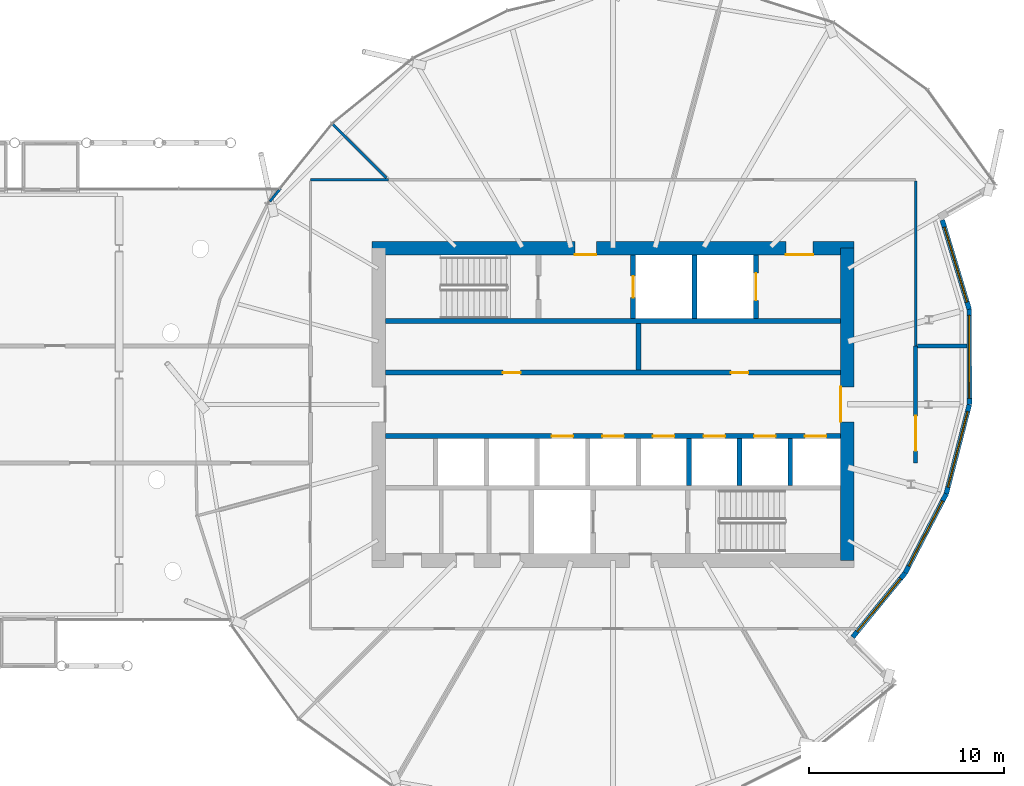
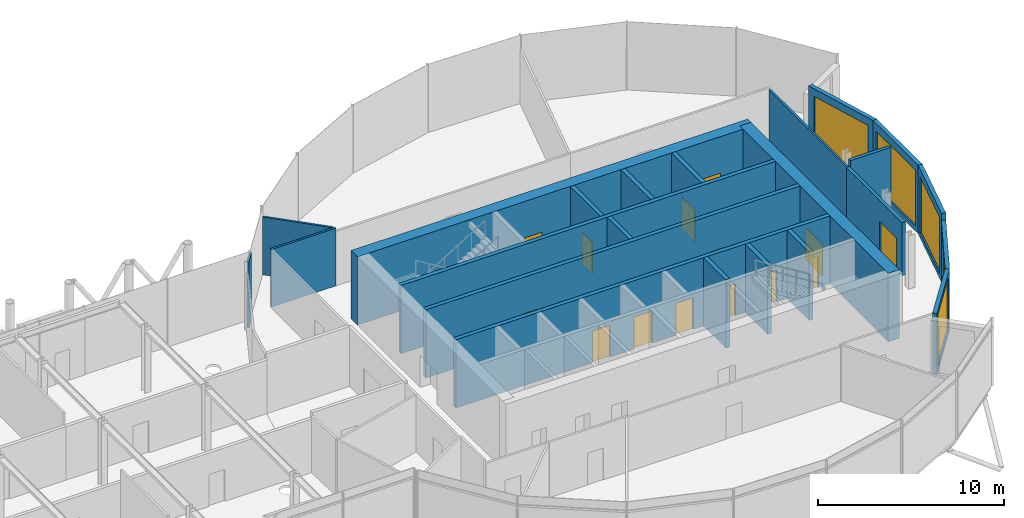
# One storey, part 26 of 36: 23 walls, 14 doors, 5 windows, 19 openings.
"""IFC4 building model written with IfcOpenShell, lengths in metres."""

import ifcopenshell
import ifcopenshell.guid

model = None  # the IFC model being written
_history = None  # IfcOwnerHistory: only IFC2X3 demands one
_inside = {}  # id of a spatial element -> (the spatial element, [elements in it])
_under = {}  # id of a project, library or spatial element -> (it, [spatial elements below it])
_declared = {}  # id of a project -> (the project, [libraries it declares])
_typed = {}  # id of a type object -> (the type object, [elements of that type])
_made_of = {}  # id of a material, layer set ... -> (it, [elements and type objects made of it])


def new_model(schema):
    """Start an empty IFC model of exactly this schema.

    Asked for "IFC4X3", IfcOpenShell would pick the latest addendum, in which some entities
    have other attributes; the version numbers below select the first issue.
    IFC2X3 requires an IfcOwnerHistory on every rooted entity: one is made here for all.
    """
    global model, _history
    if schema == "IFC4X3":
        model = ifcopenshell.file(schema_version=(4, 3, 0, 0))
    else:
        model = ifcopenshell.file(schema=schema)
    _inside.clear()
    _under.clear()
    _declared.clear()
    _typed.clear()
    _made_of.clear()
    _history = None
    if model.schema == "IFC2X3":
        org = make("IfcOrganization", Name="unknown")
        user = make(
            "IfcPersonAndOrganization",
            ThePerson=make("IfcPerson", FamilyName="unknown"),
            TheOrganization=org,
        )
        app = make(
            "IfcApplication",
            ApplicationDeveloper=org,
            Version="unknown",
            ApplicationFullName="unknown",
            ApplicationIdentifier="unknown",
        )
        _history = make(
            "IfcOwnerHistory",
            OwningUser=user,
            OwningApplication=app,
            ChangeAction="ADDED",
            CreationDate=0,
        )
    return model


def make(cls, **values):
    """One entity of the class cls with the attributes given. An attribute that is None is left unset."""
    return model.create_entity(
        cls, **{name: value for name, value in values.items() if value is not None}
    )


def rooted(cls, **values):
    """An entity with a GlobalId (a new one), such as an element, a storey or a relation."""
    return make(cls, GlobalId=ifcopenshell.guid.new(), OwnerHistory=_history, **values)


def si_unit(unit_type, name, prefix=None):
    """IfcSIUnit, for example si_unit("LENGTHUNIT", "METRE", prefix="MILLI")."""
    return make("IfcSIUnit", UnitType=unit_type, Prefix=prefix, Name=name)


def assignment(units):
    """IfcUnitAssignment: the units of a project."""
    return None if units is None else make("IfcUnitAssignment", Units=units)


def point(xyz):
    """IfcCartesianPoint."""
    return None if xyz is None else make("IfcCartesianPoint", Coordinates=xyz)


def direction(xyz):
    """IfcDirection."""
    return None if xyz is None else make("IfcDirection", DirectionRatios=xyz)


def frame(location, z_axis=None, x_axis=None):
    """IfcAxis2Placement3D, a coordinate frame: its origin and axes. An axis left out is left unset."""
    return make(
        "IfcAxis2Placement3D",
        Location=point(location),
        Axis=direction(z_axis),
        RefDirection=direction(x_axis),
    )


def frame_2d(location, x_axis=None):
    """IfcAxis2Placement2D, a coordinate frame in the plane: its origin and x axis."""
    return make(
        "IfcAxis2Placement2D", Location=point(location), RefDirection=direction(x_axis)
    )


def origin():
    """The frame at (0, 0, 0) with its axes left unset."""
    return frame((0.0, 0.0, 0.0))


def place(relative_to, where):
    """IfcLocalPlacement: puts the frame where relative to a parent placement (None: the world)."""
    return make(
        "IfcLocalPlacement", PlacementRelTo=relative_to, RelativePlacement=where
    )


def context(
    kind, dimensions, precision=None, world=None, true_north=None, identifier=None
):
    """IfcGeometricRepresentationContext, for example the 3D "Model" context."""
    return make(
        "IfcGeometricRepresentationContext",
        ContextIdentifier=identifier,
        ContextType=kind,
        CoordinateSpaceDimension=dimensions,
        Precision=precision,
        WorldCoordinateSystem=world,
        TrueNorth=true_north,
    )


def subcontext(parent, identifier, kind, view, scale=None):
    """IfcGeometricRepresentationSubContext, for example "Body" below "Model"."""
    return make(
        "IfcGeometricRepresentationSubContext",
        ContextIdentifier=identifier,
        ContextType=kind,
        ParentContext=parent,
        TargetScale=scale,
        TargetView=view,
    )


def project(units=None, contexts=None):
    """IfcProject with its units and contexts."""
    return rooted(
        "IfcProject",
        Name="project",
        RepresentationContexts=contexts,
        UnitsInContext=assignment(units),
    )


def spatial(cls, under=None, at=None, **own):
    """A site, building, storey or space (cls), placed at a placement, below another one or the project."""
    s = rooted(cls, ObjectPlacement=at, **own)
    if under is not None:
        _under.setdefault(under.id(), (under, []))[1].append(s)
    return s


def profile(cls, at=None, kind="AREA", **sizes):
    """A parametric profile (cls). Its sizes go by their IFC names, for example OverallWidth=200.0."""
    return make(cls, ProfileType=kind, Position=at, **sizes)


def rectangle(**sizes):
    """IfcRectangleProfileDef."""
    return profile("IfcRectangleProfileDef", **sizes)


def extrude(swept, where, along, depth):
    """IfcExtrudedAreaSolid: the profile swept, set in the frame where, extruded along a direction by depth."""
    return make(
        "IfcExtrudedAreaSolid",
        SweptArea=swept,
        Position=where,
        ExtrudedDirection=direction(along),
        Depth=depth,
    )


def shape(context_of_items, identifier, shape_type, items):
    """IfcShapeRepresentation: the items that make up one representation, for example the "Body"."""
    return make(
        "IfcShapeRepresentation",
        ContextOfItems=context_of_items,
        RepresentationIdentifier=identifier,
        RepresentationType=shape_type,
        Items=items,
    )


def material(Name=None, Category=None):
    """IfcMaterial."""
    return make("IfcMaterial", Name=Name, Category=Category)


def layer(
    of_material, thickness, ventilated=None, Name=None, Category=None, Priority=None
):
    """IfcMaterialLayer: one layer of a wall or slab, of a material (None: an air gap)."""
    return make(
        "IfcMaterialLayer",
        Material=of_material,
        LayerThickness=thickness,
        IsVentilated=ventilated,
        Name=Name,
        Category=Category,
        Priority=Priority,
    )


def layer_set(layers, Name=None):
    """IfcMaterialLayerSet."""
    return make("IfcMaterialLayerSet", MaterialLayers=layers, LayerSetName=Name)


def made_of(thing, what):
    """Note that an element or type object is made of a material, layer set ...; save() writes the relation."""
    if what is not None:
        _made_of.setdefault(what.id(), (what, []))[1].append(thing)
    return thing


def type_object(cls, material=None, **own):
    """A type object (cls), such as IfcWallType, which elements share."""
    return made_of(rooted(cls, **own), material)


def element(
    cls,
    number,
    at=None,
    inside=None,
    cuts=None,
    type_object=None,
    material=None,
    context=None,
    identifier="Body",
    shape_type=None,
    held_by="IfcProductDefinitionShape",
    body=None,
    shapes=None,
    **own,
):
    """One element of the class cls, such as IfcWall. Its Tag is "e" and its number.

    at: its placement. inside: the storey or other place that contains it. cuts: it is an
    opening in that element (IfcRelVoidsElement). A single representation is given by context,
    identifier, shape_type and body (its items); several are given by shapes. held_by: the class
    of the entity that holds the representations. save() writes the other relations.
    """
    e = rooted(cls, Tag="e%d" % number, ObjectPlacement=at, **own)
    if body is not None:
        shapes = [shape(context, identifier, shape_type, body)]
    if shapes is not None:
        e.Representation = make(held_by, Representations=shapes)
    if inside is not None:
        _inside.setdefault(inside.id(), (inside, []))[1].append(e)
    if cuts is not None:
        rooted(
            "IfcRelVoidsElement", RelatingBuildingElement=cuts, RelatedOpeningElement=e
        )
    if type_object is not None:
        _typed.setdefault(type_object.id(), (type_object, []))[1].append(e)
    return made_of(e, material)


def fill(opening, filler):
    """IfcRelFillsElement: the door or window that sits in an opening."""
    return rooted(
        "IfcRelFillsElement",
        RelatingOpeningElement=opening,
        RelatedBuildingElement=filler,
    )


def aggregate(whole, parts):
    """IfcRelAggregates: a whole, such as a stair, and the parts it consists of."""
    return rooted("IfcRelAggregates", RelatingObject=whole, RelatedObjects=parts)


def save(model, path):
    """Write the relations noted so far, then the file.

    IfcRelAggregates (storeys below a building ...), IfcRelContainedInSpatialStructure (elements
    in a storey), IfcRelDefinesByType, IfcRelAssociatesMaterial and IfcRelDeclares: one each for
    every whole, place, type object, material and project.
    """
    for whole, parts in _under.values():
        aggregate(whole, parts)
    for where, things in _inside.values():
        rooted(
            "IfcRelContainedInSpatialStructure",
            RelatedElements=things,
            RelatingStructure=where,
        )
    for kind, things in _typed.values():
        rooted("IfcRelDefinesByType", RelatedObjects=things, RelatingType=kind)
    for what, things in _made_of.values():
        rooted("IfcRelAssociatesMaterial", RelatedObjects=things, RelatingMaterial=what)
    for by, libraries in _declared.values():
        rooted("IfcRelDeclares", RelatingContext=by, RelatedDefinitions=libraries)
    model.write(path)


model = new_model("IFC4")

# Units and contexts
model_context = context("Model", 3, precision=1e-05, world=origin(), true_north=direction((0.0, 1.0)))
body_context = subcontext(model_context, "Body", "Model", "MODEL_VIEW")
ifc_project = project(units=[si_unit("LENGTHUNIT", "METRE"), si_unit("AREAUNIT", "SQUARE_METRE"), si_unit("VOLUMEUNIT", "CUBIC_METRE"), si_unit("PLANEANGLEUNIT", "RADIAN"), si_unit("MASSUNIT", "GRAM", prefix="KILO")], contexts=[model_context])

# Site, building, storey
site_placement = place(None, origin())
site = spatial("IfcSite", under=ifc_project, at=site_placement, CompositionType="ELEMENT")
building_placement = place(site_placement, origin())
building = spatial("IfcBuilding", under=site, at=building_placement, Name="Rimbun Link Towers", CompositionType="ELEMENT")
storey_placement = place(building_placement, frame((0.0, 0.0, 154.39990234375)))
storey = spatial("IfcBuildingStorey", under=building, at=storey_placement, Name="L37", CompositionType="ELEMENT", Elevation=154.39990234375)

# Wall, opening, window
ifc_material_1 = material(Name="Dark enamelled glass spandrel on insulated aluminium backpan", Category="aluminium")
ifc_layer_1 = layer(ifc_material_1, 0.25)
ifc_layer_set_1 = layer_set([ifc_layer_1], Name="CS dark enamelled spandrel wall 250")
wall_type_1 = type_object("IfcWallType", Name="CS dark enamelled spandrel wall 250", PredefinedType="STANDARD", material=ifc_layer_set_1)
wall_1_placement = place(storey_placement, frame((46.711669921875, -8.646728515625, 0.0), z_axis=(0.0, 0.0, 1.0), x_axis=(-0.633071445917, -0.774093369281, 0.0)))
wall_1 = element("IfcWall", 1, at=wall_1_placement, inside=storey, type_object=wall_type_1, Name="Crease spandrel wall", PredefinedType="STANDARD", context=body_context, shape_type="SweptSolid", body=[
    extrude(rectangle(XDim=4.236328125, YDim=0.25, at=frame_2d((2.1181640625, 0.0))), origin(), (0.0, 0.0, 1.0), 4.03662109375),
])
opening_1_placement = place(wall_1_placement, frame((0.3681640625, 0.0, 0.300048828125)))
opening_1 = element("IfcOpeningElement", 2, at=opening_1_placement, cuts=wall_1, Name="Opening WR35H345", PredefinedType="OPENING", context=body_context, shape_type="SweptSolid", body=[
    extrude(rectangle(XDim=3.5, YDim=3.449951171875, at=frame_2d((1.75, 1.72509765625))), frame((0.0, 0.135009765625, 0.0), z_axis=(0.0, -1.0, 0.0), x_axis=(1.0, 0.0, 0.0)), (0.0, 0.0, 1.0), 0.27001953125),
])
ifc_material_2 = material(Name="Aluminium framed fixed window, dark tinted low-e glass", Category="aluminium")
window_type_1 = type_object("IfcWindowType", Name="WR ribbon window 3500X3450", PartitioningType="SINGLE_PANEL", PredefinedType="WINDOW", material=ifc_material_2)
window_1_placement = place(opening_1_placement, origin())
window_1 = element("IfcWindow", 3, at=window_1_placement, inside=storey, type_object=window_type_1, Name="Crease ribbon window", OverallHeight=3.449951171875, OverallWidth=3.5, PartitioningType="SINGLE_PANEL", PredefinedType="WINDOW", context=body_context, shape_type="SweptSolid", body=[
    extrude(rectangle(XDim=3.5, YDim=3.449951171875, at=frame_2d((1.75, 1.72509765625))), frame((0.0, 0.030029296875, 0.0), z_axis=(0.0, -1.0, 0.0), x_axis=(1.0, 0.0, 0.0)), (0.0, 0.0, 1.0), 0.06005859375),
])
fill(opening_1, window_1)

wall_2_placement = place(storey_placement, frame((48.820556640625, -4.587646484375, 0.0), z_axis=(0.0, 0.0, 1.0), x_axis=(-0.46103677095, -0.887381031931, 0.0)))
wall_2 = element("IfcWall", 4, at=wall_2_placement, inside=storey, type_object=wall_type_1, Name="Crease spandrel wall", PredefinedType="STANDARD", context=body_context, shape_type="SweptSolid", body=[
    extrude(rectangle(XDim=4.57421875, YDim=0.25, at=frame_2d((2.287109375, 0.0))), origin(), (0.0, 0.0, 1.0), 4.03662109375),
])
opening_2_placement = place(wall_2_placement, frame((0.412109375, 0.0, 0.300048828125)))
opening_2 = element("IfcOpeningElement", 5, at=opening_2_placement, cuts=wall_2, Name="Opening WR38H345", PredefinedType="OPENING", context=body_context, shape_type="SweptSolid", body=[
    extrude(rectangle(XDim=3.75, YDim=3.449951171875, at=frame_2d((1.875, 1.72509765625))), frame((0.0, 0.135009765625, 0.0), z_axis=(0.0, -1.0, 0.0), x_axis=(1.0, 0.0, 0.0)), (0.0, 0.0, 1.0), 0.27001953125),
])
ifc_material_3 = material(Name="Aluminium framed fixed window, dark tinted low-e glass", Category="aluminium")
window_type_2 = type_object("IfcWindowType", Name="WR ribbon window 3750X3450", PartitioningType="SINGLE_PANEL", PredefinedType="WINDOW", material=ifc_material_3)
window_2_placement = place(opening_2_placement, origin())
window_2 = element("IfcWindow", 6, at=window_2_placement, inside=storey, type_object=window_type_2, Name="Crease ribbon window", OverallHeight=3.449951171875, OverallWidth=3.75, PartitioningType="SINGLE_PANEL", PredefinedType="WINDOW", context=body_context, shape_type="SweptSolid", body=[
    extrude(rectangle(XDim=3.75, YDim=3.449951171875, at=frame_2d((1.875, 1.72509765625))), frame((0.0, 0.030029296875, 0.0), z_axis=(0.0, -1.0, 0.0), x_axis=(1.0, 0.0, 0.0)), (0.0, 0.0, 1.0), 0.06005859375),
])
fill(opening_2, window_2)

wall_3_placement = place(storey_placement, frame((50.00634765625, -0.015869140625, 0.0), z_axis=(0.0, 0.0, 1.0), x_axis=(-0.251064410387, -0.967970382727, 0.0)))
wall_3 = element("IfcWall", 7, at=wall_3_placement, inside=storey, type_object=wall_type_1, Name="Crease spandrel wall", PredefinedType="STANDARD", context=body_context, shape_type="SweptSolid", body=[
    extrude(rectangle(XDim=4.72314453125, YDim=0.25, at=frame_2d((2.361572265625, 0.0))), origin(), (0.0, 0.0, 1.0), 4.5),
])
opening_3_placement = place(wall_3_placement, frame((0.361572265625, 0.0, 0.300048828125)))
opening_3 = element("IfcOpeningElement", 8, at=opening_3_placement, cuts=wall_3, Name="Opening WR40H370", PredefinedType="OPENING", context=body_context, shape_type="SweptSolid", body=[
    extrude(rectangle(XDim=4.0, YDim=3.699951171875, at=frame_2d((2.0, 1.85009765625))), frame((0.0, 0.135009765625, 0.0), z_axis=(0.0, -1.0, 0.0), x_axis=(1.0, 0.0, 0.0)), (0.0, 0.0, 1.0), 0.27001953125),
])
ifc_material_4 = material(Name="Aluminium framed fixed window, dark tinted low-e glass", Category="aluminium")
window_type_3 = type_object("IfcWindowType", Name="WR ribbon window 4000X3700", PartitioningType="SINGLE_PANEL", PredefinedType="WINDOW", material=ifc_material_4)
window_3_placement = place(opening_3_placement, origin())
window_3 = element("IfcWindow", 9, at=window_3_placement, inside=storey, type_object=window_type_3, Name="Crease ribbon window", OverallHeight=3.699951171875, OverallWidth=4.0, PartitioningType="SINGLE_PANEL", PredefinedType="WINDOW", context=body_context, shape_type="SweptSolid", body=[
    extrude(rectangle(XDim=4.0, YDim=3.699951171875, at=frame_2d((2.0, 1.85009765625))), frame((0.0, 0.030029296875, 0.0), z_axis=(0.0, -1.0, 0.0), x_axis=(1.0, 0.0, 0.0)), (0.0, 0.0, 1.0), 0.06005859375),
])
fill(opening_3, window_3)

wall_4_placement = place(storey_placement, frame((49.998291015625, 4.874755859375, 0.0), z_axis=(0.0, 0.0, 1.0), x_axis=(0.001647361982, -0.999998643098, 0.0)))
wall_4 = element("IfcWall", 10, at=wall_4_placement, inside=storey, type_object=wall_type_1, Name="Crease spandrel wall", PredefinedType="STANDARD", context=body_context, shape_type="SweptSolid", body=[
    extrude(rectangle(XDim=4.890625, YDim=0.25, at=frame_2d((2.4453125, 0.0))), origin(), (0.0, 0.0, 1.0), 4.5),
])
opening_4_placement = place(wall_4_placement, frame((0.3203125, 0.0, 0.300048828125)))
opening_4 = element("IfcOpeningElement", 11, at=opening_4_placement, cuts=wall_4, Name="Opening WR42H370", PredefinedType="OPENING", context=body_context, shape_type="SweptSolid", body=[
    extrude(rectangle(XDim=4.25, YDim=3.699951171875, at=frame_2d((2.125, 1.85009765625))), frame((0.0, 0.135009765625, 0.0), z_axis=(0.0, -1.0, 0.0), x_axis=(1.0, 0.0, 0.0)), (0.0, 0.0, 1.0), 0.27001953125),
])
ifc_material_5 = material(Name="Aluminium framed fixed window, dark tinted low-e glass", Category="aluminium")
window_type_4 = type_object("IfcWindowType", Name="WR ribbon window 4250X3700", PartitioningType="SINGLE_PANEL", PredefinedType="WINDOW", material=ifc_material_5)
window_4_placement = place(opening_4_placement, origin())
window_4 = element("IfcWindow", 12, at=window_4_placement, inside=storey, type_object=window_type_4, Name="Crease ribbon window", OverallHeight=3.699951171875, OverallWidth=4.25, PartitioningType="SINGLE_PANEL", PredefinedType="WINDOW", context=body_context, shape_type="SweptSolid", body=[
    extrude(rectangle(XDim=4.25, YDim=3.699951171875, at=frame_2d((2.125, 1.85009765625))), frame((0.0, 0.030029296875, 0.0), z_axis=(0.0, -1.0, 0.0), x_axis=(1.0, 0.0, 0.0)), (0.0, 0.0, 1.0), 0.06005859375),
])
fill(opening_4, window_4)

wall_5_placement = place(storey_placement, frame((48.616943359375, 9.449462890625, 0.0), z_axis=(0.0, 0.0, 1.0), x_axis=(0.289062898136, -0.957310106977, 0.0)))
wall_5 = element("IfcWall", 13, at=wall_5_placement, inside=storey, type_object=wall_type_1, Name="Crease spandrel wall", PredefinedType="STANDARD", context=body_context, shape_type="SweptSolid", body=[
    extrude(rectangle(XDim=4.77880859375, YDim=0.25, at=frame_2d((2.389404296875, 0.0))), origin(), (0.0, 0.0, 1.0), 4.5),
])
opening_5_placement = place(wall_5_placement, frame((0.389404296875, 0.0, 0.300048828125)))
opening_5 = element("IfcOpeningElement", 14, at=opening_5_placement, cuts=wall_5, Name="Opening WR40H370", PredefinedType="OPENING", context=body_context, shape_type="SweptSolid", body=[
    extrude(rectangle(XDim=4.0, YDim=3.699951171875, at=frame_2d((2.0, 1.85009765625))), frame((0.0, 0.135009765625, 0.0), z_axis=(0.0, -1.0, 0.0), x_axis=(1.0, 0.0, 0.0)), (0.0, 0.0, 1.0), 0.27001953125),
])
window_5_placement = place(opening_5_placement, origin())
window_5 = element("IfcWindow", 15, at=window_5_placement, inside=storey, type_object=window_type_3, Name="Crease ribbon window", OverallHeight=3.699951171875, OverallWidth=4.0, PartitioningType="SINGLE_PANEL", PredefinedType="WINDOW", context=body_context, shape_type="SweptSolid", body=[
    extrude(rectangle(XDim=4.0, YDim=3.699951171875, at=frame_2d((2.0, 1.85009765625))), frame((0.0, 0.030029296875, 0.0), z_axis=(0.0, -1.0, 0.0), x_axis=(1.0, 0.0, 0.0)), (0.0, 0.0, 1.0), 0.06005859375),
])
fill(opening_5, window_5)

# Wall, openings, doors
ifc_material_6 = material(Name="Concrete C60/75", Category="concrete")
ifc_layer_2 = layer(ifc_material_6, 0.699951171875)
ifc_layer_set_2 = layer_set([ifc_layer_2], Name="Core shear wall 700")
wall_type_2 = type_object("IfcWallType", Name="Core shear wall 700", PredefinedType="SHEAR", material=ifc_layer_set_2)
wall_6_placement = place(storey_placement, frame((19.39990234375, 8.0, 0.0), z_axis=(0.0, 0.0, 1.0), x_axis=(1.0, 0.0, 0.0)))
wall_6 = element("IfcWall", 16, at=wall_6_placement, inside=storey, type_object=wall_type_2, Name="L37 T2 core wall N", PredefinedType="SHEAR", context=body_context, shape_type="SweptSolid", body=[
    extrude(rectangle(XDim=24.7001953125, YDim=0.699951171875, at=frame_2d((12.35009765625, 0.0))), origin(), (0.0, 0.0, 1.0), 4.5),
])
opening_6_placement = place(wall_6_placement, frame((10.39990234375, 0.0, 0.0)))
opening_6 = element("IfcOpeningElement", 17, at=opening_6_placement, cuts=wall_6, Name="Opening C2DCF01N", PredefinedType="OPENING", context=body_context, shape_type="SweptSolid", body=[
    extrude(rectangle(XDim=1.10009765625, YDim=2.10009765625, at=frame_2d((0.550048828125, 1.050048828125))), frame((0.0, 0.35986328125, 0.0), z_axis=(0.0, -1.0, 0.0), x_axis=(1.0, 0.0, 0.0)), (0.0, 0.0, 1.0), 0.719970703125),
])
opening_7_placement = place(wall_6_placement, frame((21.199951171875, 0.0, 0.0)))
opening_7 = element("IfcOpeningElement", 18, at=opening_7_placement, cuts=wall_6, Name="Opening C2DSL02N", PredefinedType="OPENING", context=body_context, shape_type="SweptSolid", body=[
    extrude(rectangle(XDim=1.39990234375, YDim=2.10009765625, at=frame_2d((0.699951171875, 1.050048828125))), frame((0.0, 0.35986328125, 0.0), z_axis=(0.0, -1.0, 0.0), x_axis=(1.0, 0.0, 0.0)), (0.0, 0.0, 1.0), 0.719970703125),
])
ifc_material_7 = material(Name="Steel fire door set", Category="steel")
door_type_1 = type_object("IfcDoorType", Name="Core fire door single", OperationType="SINGLE_SWING_LEFT", PredefinedType="DOOR", material=ifc_material_7)
door_1_placement = place(opening_6_placement, origin())
door_1 = element("IfcDoor", 19, at=door_1_placement, inside=storey, type_object=door_type_1, Name="L37 T2 firefighting lobby n door", OperationType="SINGLE_SWING_RIGHT", OverallHeight=2.10009765625, OverallWidth=1.10009765625, PredefinedType="DOOR", context=body_context, shape_type="SweptSolid", body=[
    extrude(rectangle(XDim=1.10009765625, YDim=2.10009765625, at=frame_2d((0.550048828125, 1.050048828125))), frame((0.0, -0.2998046875, 0.0), z_axis=(0.0, -1.0, 0.0), x_axis=(1.0, 0.0, 0.0)), (0.0, 0.0, 1.0), 0.050048828125),
])
fill(opening_6, door_1)
ifc_material_8 = material(Name="Steel fire door set", Category="steel")
door_type_2 = type_object("IfcDoorType", Name="Service lobby door double", OperationType="DOUBLE_DOOR_SINGLE_SWING", PredefinedType="DOOR", material=ifc_material_8)
door_2_placement = place(opening_7_placement, origin())
door_2 = element("IfcDoor", 20, at=door_2_placement, inside=storey, type_object=door_type_2, Name="L37 T2 service lobby door", OperationType="DOUBLE_DOOR_SINGLE_SWING", OverallHeight=2.10009765625, OverallWidth=1.39990234375, PredefinedType="DOOR", context=body_context, shape_type="SweptSolid", body=[
    extrude(rectangle(XDim=1.39990234375, YDim=2.10009765625, at=frame_2d((0.699951171875, 1.050048828125))), frame((0.0, -0.2998046875, 0.0), z_axis=(0.0, -1.0, 0.0), x_axis=(1.0, 0.0, 0.0)), (0.0, 0.0, 1.0), 0.050048828125),
])
fill(opening_7, door_2)

# Wall, opening, door
wall_7_placement = place(storey_placement, frame((43.75, -8.0, 0.0), z_axis=(0.0, 0.0, 1.0), x_axis=(0.0, 1.0, 0.0)))
wall_7 = element("IfcWall", 21, at=wall_7_placement, inside=storey, type_object=wall_type_2, Name="L37 T2 core wall E", PredefinedType="SHEAR", context=body_context, shape_type="SweptSolid", body=[
    extrude(rectangle(XDim=16.0, YDim=0.699951171875, at=frame_2d((8.0, 0.0))), origin(), (0.0, 0.0, 1.0), 4.5),
])
opening_8_placement = place(wall_7_placement, frame((7.10009765625, 0.0, 0.0)))
opening_8 = element("IfcOpeningElement", 22, at=opening_8_placement, cuts=wall_7, Name="Opening C2DCL01E", PredefinedType="OPENING", context=body_context, shape_type="SweptSolid", body=[
    extrude(rectangle(XDim=1.800048828125, YDim=2.10009765625, at=frame_2d((0.89990234375, 1.050048828125))), frame((0.0, 0.35986328125, 0.0), z_axis=(0.0, -1.0, 0.0), x_axis=(1.0, 0.0, 0.0)), (0.0, 0.0, 1.0), 0.719970703125),
])
ifc_material_9 = material(Name="Steel fire door set", Category="steel")
door_type_3 = type_object("IfcDoorType", Name="Core lobby door double", OperationType="DOUBLE_DOOR_SINGLE_SWING", PredefinedType="DOOR", material=ifc_material_9)
door_3_placement = place(opening_8_placement, origin())
door_3 = element("IfcDoor", 23, at=door_3_placement, inside=storey, type_object=door_type_3, Name="L37 T2 lift lobby door", OperationType="DOUBLE_DOOR_SINGLE_SWING", OverallHeight=2.10009765625, OverallWidth=1.800048828125, PredefinedType="DOOR", context=body_context, shape_type="SweptSolid", body=[
    extrude(rectangle(XDim=1.800048828125, YDim=2.10009765625, at=frame_2d((0.89990234375, 1.050048828125))), frame((0.0, 0.35009765625, 0.0), z_axis=(0.0, -1.0, 0.0), x_axis=(1.0, 0.0, 0.0)), (0.0, 0.0, 1.0), 0.050048828125),
])
fill(opening_8, door_3)

ifc_material_10 = material(Name="Concrete blockwork", Category="masonry")
ifc_layer_3 = layer(ifc_material_10, 0.199951171875)
ifc_layer_set_3 = layer_set([ifc_layer_3], Name="Fire partition 200 blockwork")
wall_type_3 = type_object("IfcWallType", Name="Fire partition 200 blockwork", PredefinedType="PARTITIONING", material=ifc_layer_set_3)
wall_8_placement = place(storey_placement, frame((47.25, -3.0, 0.0), z_axis=(0.0, 0.0, 1.0), x_axis=(0.0, 1.0, 0.0)))
wall_8 = element("IfcWall", 24, at=wall_8_placement, inside=storey, type_object=wall_type_3, Name="TW/PW/L37/035", PredefinedType="PARTITIONING", context=body_context, shape_type="SweptSolid", body=[
    extrude(rectangle(XDim=6.0, YDim=0.199951171875, at=frame_2d((3.0, 0.0))), origin(), (0.0, 0.0, 1.0), 3.489013671875),
])
opening_9_placement = place(wall_8_placement, frame((0.614990234375, 0.0, 0.0)))
opening_9 = element("IfcOpeningElement", 25, at=opening_9_placement, cuts=wall_8, Name="Opening TW D37.25", PredefinedType="OPENING", context=body_context, shape_type="SweptSolid", body=[
    extrude(rectangle(XDim=1.800048828125, YDim=2.10009765625, at=frame_2d((0.89990234375, 1.050048828125))), frame((0.0, 0.10986328125, 0.0), z_axis=(0.0, -1.0, 0.0), x_axis=(1.0, 0.0, 0.0)), (0.0, 0.0, 1.0), 0.219970703125),
])
ifc_material_11 = material(Name="Steel fire door set", Category="steel")
door_type_4 = type_object("IfcDoorType", Name="Fire door double leaf 1800 x 2100", OperationType="NOTDEFINED", PredefinedType="DOOR", material=ifc_material_11)
door_4_placement = place(opening_9_placement, origin())
door_4 = element("IfcDoor", 26, at=door_4_placement, inside=storey, type_object=door_type_4, Name="TW/DR/L37/025", OperationType="DOUBLE_DOOR_SINGLE_SWING", OverallHeight=2.10009765625, OverallWidth=1.800048828125, PredefinedType="DOOR", context=body_context, shape_type="SweptSolid", body=[
    extrude(rectangle(XDim=1.800048828125, YDim=2.10009765625, at=frame_2d((0.89990234375, 1.050048828125))), frame((0.0, 0.02490234375, 0.0), z_axis=(0.0, -1.0, 0.0), x_axis=(1.0, 0.0, 0.0)), (0.0, 0.0, 1.0), 0.050048828125),
])
fill(opening_9, door_4)

# Walls
wall_9_placement = place(storey_placement, frame((49.87646484375, 3.0, 0.0), z_axis=(0.0, 0.0, 1.0), x_axis=(-1.0, 0.0, 0.0)))
element("IfcWall", 27, at=wall_9_placement, inside=storey, type_object=wall_type_3, Name="TW/PW/L37/049", PredefinedType="PARTITIONING", context=body_context, shape_type="SweptSolid", body=[
    extrude(rectangle(XDim=2.5263671875, YDim=0.199951171875, at=frame_2d((1.26318359375, 0.0))), origin(), (0.0, 0.0, 1.0), 3.924072265625),
])
ifc_material_12 = material(Name="Gypsum board on steel studs", Category="steel")
ifc_layer_4 = layer(ifc_material_12, 0.125)
ifc_layer_set_4 = layer_set([ifc_layer_4], Name="Partition 125 board on studs")
wall_type_4 = type_object("IfcWallType", Name="Partition 125 board on studs", PredefinedType="PARTITIONING", material=ifc_layer_set_4)
wall_10_placement = place(storey_placement, frame((47.25, 3.0, 0.0), z_axis=(0.0, 0.0, 1.0), x_axis=(0.0, 1.0, 0.0)))
element("IfcWall", 28, at=wall_10_placement, inside=storey, type_object=wall_type_4, Name="TW/PW/L37/044", PredefinedType="PARTITIONING", context=body_context, shape_type="SweptSolid", body=[
    extrude(rectangle(XDim=8.4375, YDim=0.125, at=frame_2d((4.21875, 0.0))), origin(), (0.0, 0.0, 1.0), 3.489013671875),
])
wall_11_placement = place(storey_placement, frame((20.25, 11.5, 0.0), z_axis=(0.0, 0.0, 1.0), x_axis=(-1.0, 0.0, 0.0)))
element("IfcWall", 29, at=wall_11_placement, inside=storey, type_object=wall_type_4, Name="TW/PW/L37/047", PredefinedType="PARTITIONING", context=body_context, shape_type="SweptSolid", body=[
    extrude(rectangle(XDim=4.0, YDim=0.125, at=frame_2d((2.0, 0.0))), origin(), (0.0, 0.0, 1.0), 3.797119140625),
])
wall_12_placement = place(storey_placement, frame((17.384765625, 14.365234375, 0.0), z_axis=(0.0, 0.0, 1.0), x_axis=(0.707106781187, -0.707106781187, 0.0)))
element("IfcWall", 30, at=wall_12_placement, inside=storey, type_object=wall_type_4, Name="TW/PW/L37/059", PredefinedType="PARTITIONING", context=body_context, shape_type="SweptSolid", body=[
    extrude(rectangle(XDim=3.901123046875, YDim=0.125, at=frame_2d((1.95068359375, 0.0))), origin(), (0.0, 0.0, 1.0), 3.797119140625),
])
wall_13_placement = place(storey_placement, frame((14.7109375, 11.062255859375, 0.0), z_axis=(0.0, 0.0, 1.0), x_axis=(-0.629018324311, -0.777390473109, 0.0)))
element("IfcWall", 31, at=wall_13_placement, inside=storey, type_object=wall_type_4, Name="TW/PW/L37/061", PredefinedType="PARTITIONING", context=body_context, shape_type="SweptSolid", body=[
    extrude(rectangle(XDim=0.85888671875, YDim=0.125, at=frame_2d((0.429443359375, 0.0))), origin(), (0.0, 0.0, 1.0), 4.35009765625),
])
ifc_material_13 = material(Name="Concrete C60/75", Category="concrete")
ifc_layer_5 = layer(ifc_material_13, 0.25)
ifc_layer_set_5 = layer_set([ifc_layer_5], Name="Shaft wall 250")
wall_type_5 = type_object("IfcWallType", Name="Shaft wall 250", PredefinedType="SHEAR", material=ifc_layer_set_5)
wall_14_placement = place(storey_placement, frame((20.10009765625, 4.27490234375, 0.0), z_axis=(0.0, 0.0, 1.0), x_axis=(1.0, 0.0, 0.0)))
element("IfcWall", 32, at=wall_14_placement, inside=storey, type_object=wall_type_5, Name="L37 T2 core wall BN", PredefinedType="SHEAR", context=body_context, shape_type="SweptSolid", body=[
    extrude(rectangle(XDim=23.2998046875, YDim=0.25, at=frame_2d((11.64990234375, 0.0))), origin(), (0.0, 0.0, 1.0), 4.5),
])

# Wall, openings, doors
wall_15_placement = place(storey_placement, frame((20.10009765625, 1.625, 0.0), z_axis=(0.0, 0.0, 1.0), x_axis=(1.0, 0.0, 0.0)))
wall_15 = element("IfcWall", 33, at=wall_15_placement, inside=storey, type_object=wall_type_5, Name="L37 T2 core wall FN", PredefinedType="SHEAR", context=body_context, shape_type="SweptSolid", body=[
    extrude(rectangle(XDim=23.2998046875, YDim=0.25, at=frame_2d((11.64990234375, 0.0))), origin(), (0.0, 0.0, 1.0), 4.5),
])
opening_10_placement = place(wall_15_placement, frame((6.010986328125, 0.0, 0.0)))
opening_10 = element("IfcOpeningElement", 34, at=opening_10_placement, cuts=wall_15, Name="Opening C2DRS01FN", PredefinedType="OPENING", context=body_context, shape_type="SweptSolid", body=[
    extrude(rectangle(XDim=0.89990234375, YDim=2.10009765625, at=frame_2d((0.449951171875, 1.050048828125))), frame((0.0, 0.135009765625, 0.0), z_axis=(0.0, -1.0, 0.0), x_axis=(1.0, 0.0, 0.0)), (0.0, 0.0, 1.0), 0.27001953125),
])
opening_11_placement = place(wall_15_placement, frame((17.68603515625, 0.0, 0.0)))
opening_11 = element("IfcOpeningElement", 35, at=opening_11_placement, cuts=wall_15, Name="Opening C2DRS02FN", PredefinedType="OPENING", context=body_context, shape_type="SweptSolid", body=[
    extrude(rectangle(XDim=0.89990234375, YDim=2.10009765625, at=frame_2d((0.449951171875, 1.050048828125))), frame((0.0, 0.135009765625, 0.0), z_axis=(0.0, -1.0, 0.0), x_axis=(1.0, 0.0, 0.0)), (0.0, 0.0, 1.0), 0.27001953125),
])
ifc_material_14 = material(Name="Steel fire door set", Category="steel")
door_type_5 = type_object("IfcDoorType", Name="Core riser door", OperationType="SINGLE_SWING_LEFT", PredefinedType="DOOR", material=ifc_material_14)
door_5_placement = place(opening_10_placement, origin())
door_5 = element("IfcDoor", 36, at=door_5_placement, inside=storey, type_object=door_type_5, Name="L37 T2 data room door", OperationType="SINGLE_SWING_LEFT", OverallHeight=2.10009765625, OverallWidth=0.89990234375, PredefinedType="DOOR", context=body_context, shape_type="SweptSolid", body=[
    extrude(rectangle(XDim=0.89990234375, YDim=2.10009765625, at=frame_2d((0.449951171875, 1.050048828125))), frame((0.0, 0.02490234375, 0.0), z_axis=(0.0, -1.0, 0.0), x_axis=(1.0, 0.0, 0.0)), (0.0, 0.0, 1.0), 0.050048828125),
])
fill(opening_10, door_5)
door_6_placement = place(opening_11_placement, origin())
door_6 = element("IfcDoor", 37, at=door_6_placement, inside=storey, type_object=door_type_5, Name="L37 T2 meeting room door", OperationType="SINGLE_SWING_LEFT", OverallHeight=2.10009765625, OverallWidth=0.89990234375, PredefinedType="DOOR", context=body_context, shape_type="SweptSolid", body=[
    extrude(rectangle(XDim=0.89990234375, YDim=2.10009765625, at=frame_2d((0.449951171875, 1.050048828125))), frame((0.0, 0.02490234375, 0.0), z_axis=(0.0, -1.0, 0.0), x_axis=(1.0, 0.0, 0.0)), (0.0, 0.0, 1.0), 0.050048828125),
])
fill(opening_11, door_6)

wall_16_placement = place(storey_placement, frame((20.10009765625, -1.625, 0.0), z_axis=(0.0, 0.0, 1.0), x_axis=(1.0, 0.0, 0.0)))
wall_16 = element("IfcWall", 38, at=wall_16_placement, inside=storey, type_object=wall_type_5, Name="L37 T2 core wall FS", PredefinedType="SHEAR", context=body_context, shape_type="SweptSolid", body=[
    extrude(rectangle(XDim=23.2998046875, YDim=0.25, at=frame_2d((11.64990234375, 0.0))), origin(), (0.0, 0.0, 1.0), 4.5),
])
opening_12_placement = place(wall_16_placement, frame((8.505615234375, 0.0, 0.0)))
opening_12 = element("IfcOpeningElement", 39, at=opening_12_placement, cuts=wall_16, Name="Opening LD-T2-HR1", PredefinedType="OPENING", context=body_context, shape_type="SweptSolid", body=[
    extrude(rectangle(XDim=1.10009765625, YDim=2.10009765625, at=frame_2d((0.550048828125, 1.050048828125))), frame((0.0, 0.135009765625, 0.0), z_axis=(0.0, -1.0, 0.0), x_axis=(1.0, 0.0, 0.0)), (0.0, 0.0, 1.0), 0.27001953125),
])
opening_13_placement = place(wall_16_placement, frame((11.10009765625, 0.0, 0.0)))
opening_13 = element("IfcOpeningElement", 40, at=opening_13_placement, cuts=wall_16, Name="Opening LD-T2-HR2", PredefinedType="OPENING", context=body_context, shape_type="SweptSolid", body=[
    extrude(rectangle(XDim=1.10009765625, YDim=2.10009765625, at=frame_2d((0.550048828125, 1.050048828125))), frame((0.0, 0.135009765625, 0.0), z_axis=(0.0, -1.0, 0.0), x_axis=(1.0, 0.0, 0.0)), (0.0, 0.0, 1.0), 0.27001953125),
])
opening_14_placement = place(wall_16_placement, frame((13.6943359375, 0.0, 0.0)))
opening_14 = element("IfcOpeningElement", 41, at=opening_14_placement, cuts=wall_16, Name="Opening LD-T2-HR3", PredefinedType="OPENING", context=body_context, shape_type="SweptSolid", body=[
    extrude(rectangle(XDim=1.10009765625, YDim=2.10009765625, at=frame_2d((0.550048828125, 1.050048828125))), frame((0.0, 0.135009765625, 0.0), z_axis=(0.0, -1.0, 0.0), x_axis=(1.0, 0.0, 0.0)), (0.0, 0.0, 1.0), 0.27001953125),
])
opening_15_placement = place(wall_16_placement, frame((16.288818359375, 0.0, 0.0)))
opening_15 = element("IfcOpeningElement", 42, at=opening_15_placement, cuts=wall_16, Name="Opening LD-T2-HR4", PredefinedType="OPENING", context=body_context, shape_type="SweptSolid", body=[
    extrude(rectangle(XDim=1.10009765625, YDim=2.10009765625, at=frame_2d((0.550048828125, 1.050048828125))), frame((0.0, 0.135009765625, 0.0), z_axis=(0.0, -1.0, 0.0), x_axis=(1.0, 0.0, 0.0)), (0.0, 0.0, 1.0), 0.27001953125),
])
opening_16_placement = place(wall_16_placement, frame((18.88330078125, 0.0, 0.0)))
opening_16 = element("IfcOpeningElement", 43, at=opening_16_placement, cuts=wall_16, Name="Opening LD-T2-HR5", PredefinedType="OPENING", context=body_context, shape_type="SweptSolid", body=[
    extrude(rectangle(XDim=1.10009765625, YDim=2.10009765625, at=frame_2d((0.550048828125, 1.050048828125))), frame((0.0, 0.135009765625, 0.0), z_axis=(0.0, -1.0, 0.0), x_axis=(1.0, 0.0, 0.0)), (0.0, 0.0, 1.0), 0.27001953125),
])
opening_17_placement = place(wall_16_placement, frame((21.477783203125, 0.0, 0.0)))
opening_17 = element("IfcOpeningElement", 44, at=opening_17_placement, cuts=wall_16, Name="Opening LD-T2-HR6", PredefinedType="OPENING", context=body_context, shape_type="SweptSolid", body=[
    extrude(rectangle(XDim=1.10009765625, YDim=2.10009765625, at=frame_2d((0.550048828125, 1.050048828125))), frame((0.0, 0.135009765625, 0.0), z_axis=(0.0, -1.0, 0.0), x_axis=(1.0, 0.0, 0.0)), (0.0, 0.0, 1.0), 0.27001953125),
])
ifc_material_15 = material(Name="Stainless steel grade 316", Category="steel")
door_type_6 = type_object("IfcDoorType", Name="Lift landing door", OperationType="DOUBLE_DOOR_SLIDING", PredefinedType="DOOR", material=ifc_material_15)
door_7_placement = place(opening_12_placement, origin())
door_7 = element("IfcDoor", 45, at=door_7_placement, inside=storey, type_object=door_type_6, Name="L37 T2 lift HR1 landing door", OperationType="DOUBLE_DOOR_SLIDING", OverallHeight=2.10009765625, OverallWidth=1.10009765625, PredefinedType="DOOR", context=body_context, shape_type="SweptSolid", body=[
    extrude(rectangle(XDim=1.10009765625, YDim=2.10009765625, at=frame_2d((0.550048828125, 1.050048828125))), frame((0.0, 0.02490234375, 0.0), z_axis=(0.0, -1.0, 0.0), x_axis=(1.0, 0.0, 0.0)), (0.0, 0.0, 1.0), 0.050048828125),
])
fill(opening_12, door_7)
door_8_placement = place(opening_13_placement, origin())
door_8 = element("IfcDoor", 46, at=door_8_placement, inside=storey, type_object=door_type_6, Name="L37 T2 lift HR2 landing door", OperationType="DOUBLE_DOOR_SLIDING", OverallHeight=2.10009765625, OverallWidth=1.10009765625, PredefinedType="DOOR", context=body_context, shape_type="SweptSolid", body=[
    extrude(rectangle(XDim=1.10009765625, YDim=2.10009765625, at=frame_2d((0.550048828125, 1.050048828125))), frame((0.0, 0.02490234375, 0.0), z_axis=(0.0, -1.0, 0.0), x_axis=(1.0, 0.0, 0.0)), (0.0, 0.0, 1.0), 0.050048828125),
])
fill(opening_13, door_8)
door_9_placement = place(opening_14_placement, origin())
door_9 = element("IfcDoor", 47, at=door_9_placement, inside=storey, type_object=door_type_6, Name="L37 T2 lift HR3 landing door", OperationType="DOUBLE_DOOR_SLIDING", OverallHeight=2.10009765625, OverallWidth=1.10009765625, PredefinedType="DOOR", context=body_context, shape_type="SweptSolid", body=[
    extrude(rectangle(XDim=1.10009765625, YDim=2.10009765625, at=frame_2d((0.550048828125, 1.050048828125))), frame((0.0, 0.02490234375, 0.0), z_axis=(0.0, -1.0, 0.0), x_axis=(1.0, 0.0, 0.0)), (0.0, 0.0, 1.0), 0.050048828125),
])
fill(opening_14, door_9)
door_10_placement = place(opening_15_placement, origin())
door_10 = element("IfcDoor", 48, at=door_10_placement, inside=storey, type_object=door_type_6, Name="L37 T2 lift HR4 landing door", OperationType="DOUBLE_DOOR_SLIDING", OverallHeight=2.10009765625, OverallWidth=1.10009765625, PredefinedType="DOOR", context=body_context, shape_type="SweptSolid", body=[
    extrude(rectangle(XDim=1.10009765625, YDim=2.10009765625, at=frame_2d((0.550048828125, 1.050048828125))), frame((0.0, 0.02490234375, 0.0), z_axis=(0.0, -1.0, 0.0), x_axis=(1.0, 0.0, 0.0)), (0.0, 0.0, 1.0), 0.050048828125),
])
fill(opening_15, door_10)
door_11_placement = place(opening_16_placement, origin())
door_11 = element("IfcDoor", 49, at=door_11_placement, inside=storey, type_object=door_type_6, Name="L37 T2 lift HR5 landing door", OperationType="DOUBLE_DOOR_SLIDING", OverallHeight=2.10009765625, OverallWidth=1.10009765625, PredefinedType="DOOR", context=body_context, shape_type="SweptSolid", body=[
    extrude(rectangle(XDim=1.10009765625, YDim=2.10009765625, at=frame_2d((0.550048828125, 1.050048828125))), frame((0.0, 0.02490234375, 0.0), z_axis=(0.0, -1.0, 0.0), x_axis=(1.0, 0.0, 0.0)), (0.0, 0.0, 1.0), 0.050048828125),
])
fill(opening_16, door_11)
door_12_placement = place(opening_17_placement, origin())
door_12 = element("IfcDoor", 50, at=door_12_placement, inside=storey, type_object=door_type_6, Name="L37 T2 lift HR6 landing door", OperationType="DOUBLE_DOOR_SLIDING", OverallHeight=2.10009765625, OverallWidth=1.10009765625, PredefinedType="DOOR", context=body_context, shape_type="SweptSolid", body=[
    extrude(rectangle(XDim=1.10009765625, YDim=2.10009765625, at=frame_2d((0.550048828125, 1.050048828125))), frame((0.0, 0.02490234375, 0.0), z_axis=(0.0, -1.0, 0.0), x_axis=(1.0, 0.0, 0.0)), (0.0, 0.0, 1.0), 0.050048828125),
])
fill(opening_17, door_12)

# Walls
for number, where, z_axis, x_axis, name in (
    (51, (33.047119140625, 1.75, 0.0), (0.0, 0.0, 1.0), (0.0, 1.0, 0.0), "L37 T2 core wall DN4"),
    (52, (35.6416015625, -4.14990234375, 0.0), (0.0, 0.0, 1.0), (0.0, 1.0, 0.0), "L37 T2 core wall DS5"),
    (53, (38.236083984375, -4.14990234375, 0.0), (0.0, 0.0, 1.0), (0.0, 1.0, 0.0), "L37 T2 core wall DS6"),
    (54, (40.83056640625, -4.14990234375, 0.0), (0.0, 0.0, 1.0), (0.0, 1.0, 0.0), "L37 T2 core wall DS7"),
):
    element("IfcWall", number, at=place(storey_placement, frame(where, z_axis=z_axis, x_axis=x_axis)), inside=storey, type_object=wall_type_5, Name=name, PredefinedType="SHEAR", context=body_context, shape_type="SweptSolid", body=[
        extrude(rectangle(XDim=2.39990234375, YDim=0.25, at=frame_2d((1.199951171875, 0.0))), origin(), (0.0, 0.0, 1.0), 4.5),
    ])

# Wall, opening, door
wall_17_placement = place(storey_placement, frame((32.77490234375, 4.39990234375, 0.0), z_axis=(0.0, 0.0, 1.0), x_axis=(0.0, 1.0, 0.0)))
wall_17 = element("IfcWall", 55, at=wall_17_placement, inside=storey, type_object=wall_type_5, Name="L37 T2 core wall A2", PredefinedType="SHEAR", context=body_context, shape_type="SweptSolid", body=[
    extrude(rectangle(XDim=3.25, YDim=0.25, at=frame_2d((1.625, 0.0))), origin(), (0.0, 0.0, 1.0), 4.5),
])
opening_18_placement = place(wall_17_placement, frame((1.074951171875, 0.0, 0.0)))
opening_18 = element("IfcOpeningElement", 56, at=opening_18_placement, cuts=wall_17, Name="Opening LD-T2-FF1", PredefinedType="OPENING", context=body_context, shape_type="SweptSolid", body=[
    extrude(rectangle(XDim=1.10009765625, YDim=2.10009765625, at=frame_2d((0.550048828125, 1.050048828125))), frame((0.0, 0.135009765625, 0.0), z_axis=(0.0, -1.0, 0.0), x_axis=(1.0, 0.0, 0.0)), (0.0, 0.0, 1.0), 0.27001953125),
])
door_13_placement = place(opening_18_placement, origin())
door_13 = element("IfcDoor", 57, at=door_13_placement, inside=storey, type_object=door_type_6, Name="L37 T2 lift FF1 landing door", OperationType="DOUBLE_DOOR_SLIDING", OverallHeight=2.10009765625, OverallWidth=1.10009765625, PredefinedType="DOOR", context=body_context, shape_type="SweptSolid", body=[
    extrude(rectangle(XDim=1.10009765625, YDim=2.10009765625, at=frame_2d((0.550048828125, 1.050048828125))), frame((0.0, 0.02490234375, 0.0), z_axis=(0.0, -1.0, 0.0), x_axis=(1.0, 0.0, 0.0)), (0.0, 0.0, 1.0), 0.050048828125),
])
fill(opening_18, door_13)

# Wall
wall_18_placement = place(storey_placement, frame((35.925048828125, 4.39990234375, 0.0), z_axis=(0.0, 0.0, 1.0), x_axis=(0.0, 1.0, 0.0)))
element("IfcWall", 58, at=wall_18_placement, inside=storey, type_object=wall_type_5, Name="L37 T2 core wall A3", PredefinedType="SHEAR", context=body_context, shape_type="SweptSolid", body=[
    extrude(rectangle(XDim=3.25, YDim=0.25, at=frame_2d((1.625, 0.0))), origin(), (0.0, 0.0, 1.0), 4.5),
])

# Wall, opening, door
wall_19_placement = place(storey_placement, frame((39.074951171875, 4.39990234375, 0.0), z_axis=(0.0, 0.0, 1.0), x_axis=(0.0, 1.0, 0.0)))
wall_19 = element("IfcWall", 59, at=wall_19_placement, inside=storey, type_object=wall_type_5, Name="L37 T2 core wall A4", PredefinedType="SHEAR", context=body_context, shape_type="SweptSolid", body=[
    extrude(rectangle(XDim=3.25, YDim=0.25, at=frame_2d((1.625, 0.0))), origin(), (0.0, 0.0, 1.0), 4.5),
])
opening_19_placement = place(wall_19_placement, frame((0.925048828125, 0.0, 0.0)))
opening_19 = element("IfcOpeningElement", 60, at=opening_19_placement, cuts=wall_19, Name="Opening LD-T2-GL1", PredefinedType="OPENING", context=body_context, shape_type="SweptSolid", body=[
    extrude(rectangle(XDim=1.39990234375, YDim=2.10009765625, at=frame_2d((0.699951171875, 1.050048828125))), frame((0.0, 0.135009765625, 0.0), z_axis=(0.0, -1.0, 0.0), x_axis=(1.0, 0.0, 0.0)), (0.0, 0.0, 1.0), 0.27001953125),
])
ifc_material_16 = material(Name="Stainless steel grade 316", Category="steel")
door_type_7 = type_object("IfcDoorType", Name="Goods lift landing door", OperationType="DOUBLE_DOOR_SLIDING", PredefinedType="DOOR", material=ifc_material_16)
door_14_placement = place(opening_19_placement, origin())
door_14 = element("IfcDoor", 61, at=door_14_placement, inside=storey, type_object=door_type_7, Name="L37 T2 lift GL1 landing door", OperationType="DOUBLE_DOOR_SLIDING", OverallHeight=2.10009765625, OverallWidth=1.39990234375, PredefinedType="DOOR", context=body_context, shape_type="SweptSolid", body=[
    extrude(rectangle(XDim=1.39990234375, YDim=2.10009765625, at=frame_2d((0.699951171875, 1.050048828125))), frame((0.0, 0.02490234375, 0.0), z_axis=(0.0, -1.0, 0.0), x_axis=(1.0, 0.0, 0.0)), (0.0, 0.0, 1.0), 0.050048828125),
])
fill(opening_19, door_14)

save(model, "model.ifc")
